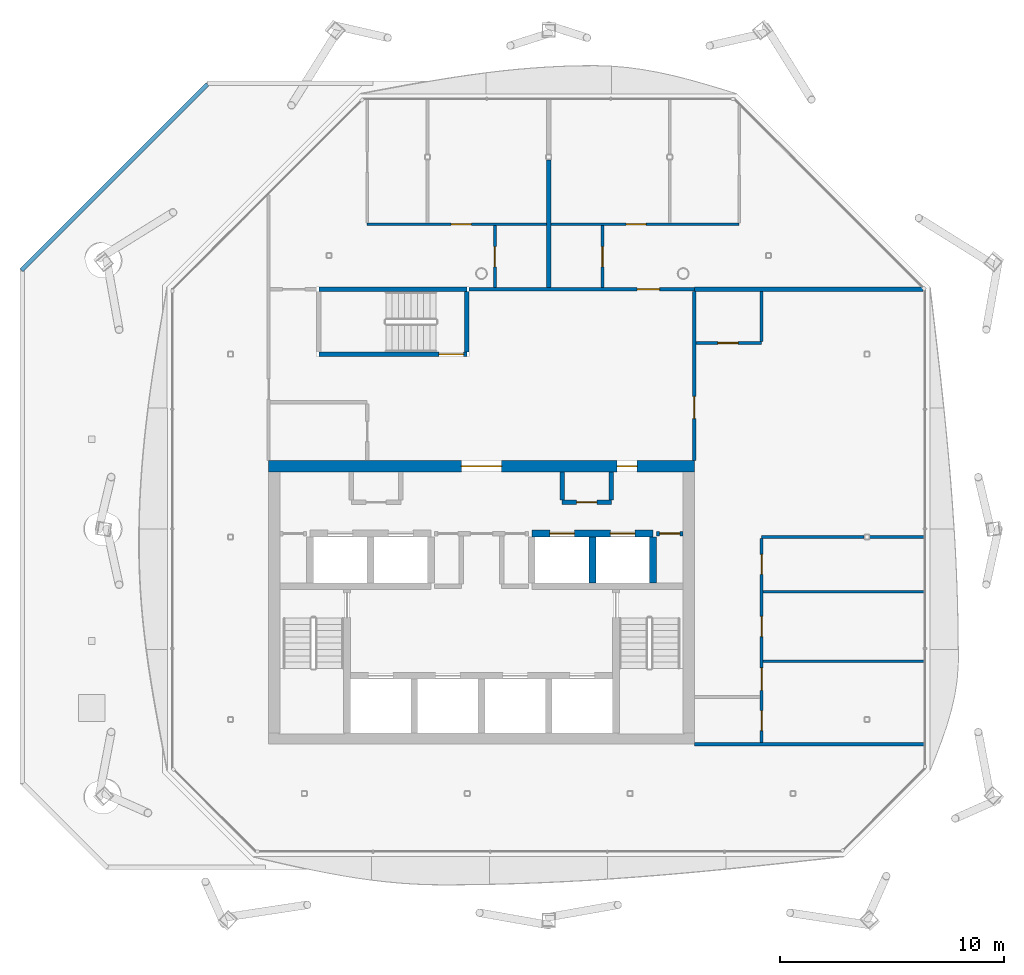
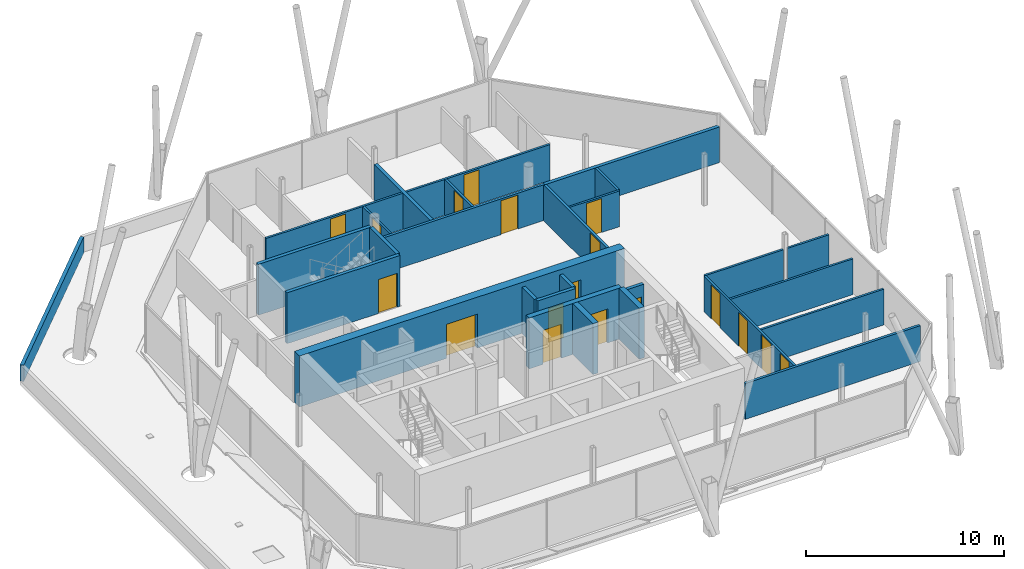
# One storey, part 11 of 17: 27 walls, 18 doors, 18 openings.
"""IFC4 building model written with IfcOpenShell, lengths in metres."""

from ifc_helpers import new_model, si_unit, direction, frame, frame_2d, origin, place, context, subcontext, project, spatial, rectangle, extrude, material, layer, layer_set, type_object, element, fill, save


model = new_model("IFC4")

# Units and contexts
model_context = context("Model", 3, precision=1e-05, world=origin(), true_north=direction((0.0, 1.0)))
body_context = subcontext(model_context, "Body", "Model", "MODEL_VIEW")
ifc_project = project(units=[si_unit("LENGTHUNIT", "METRE"), si_unit("AREAUNIT", "SQUARE_METRE"), si_unit("VOLUMEUNIT", "CUBIC_METRE"), si_unit("PLANEANGLEUNIT", "RADIAN"), si_unit("MASSUNIT", "GRAM", prefix="KILO")], contexts=[model_context])

# Site, building, storey
site_placement = place(None, origin())
site = spatial("IfcSite", under=ifc_project, at=site_placement, CompositionType="ELEMENT")
building_placement = place(site_placement, origin())
building = spatial("IfcBuilding", under=site, at=building_placement, Name="Tskaro Facet Tower", CompositionType="ELEMENT")
storey_placement = place(building_placement, frame((0.0, 0.0, 259.5)))
storey = spatial("IfcBuildingStorey", under=building, at=storey_placement, Name="L68", CompositionType="ELEMENT", Elevation=259.5)

# Wall, openings, doors
ifc_material_1 = material(Name="Concrete C60/75", Category="concrete")
ifc_layer_1 = layer(ifc_material_1, 0.300048828125, Name="Concrete C60/75")
ifc_layer_set_1 = layer_set([ifc_layer_1], Name="Concrete C60/75")
wall_type_1 = type_object("IfcWallType", Name="CORE-SHAFT", PredefinedType="SHEAR", material=ifc_layer_set_1)
wall_1_placement = place(storey_placement, frame((2.25, -2.60009765625, 0.0), z_axis=(0.0, 0.0, 1.0), x_axis=(1.0, 0.0, 0.0)))
wall_1 = element("IfcWall", 1, at=wall_1_placement, inside=storey, type_object=wall_type_1, Name="Shaft wall W015", PredefinedType="SHEAR", context=body_context, shape_type="SweptSolid", body=[
    extrude(rectangle(XDim=5.39990234375, YDim=0.300048828125, at=frame_2d((2.699951171875, 0.0))), origin(), (0.0, 0.0, 1.0), 3.14990234375),
])
opening_1_placement = place(wall_1_placement, frame((0.800048828125, 0.0, 0.0)))
opening_1 = element("IfcOpeningElement", 2, at=opening_1_placement, cuts=wall_1, Name="Opening LD-HB3", PredefinedType="OPENING", context=body_context, shape_type="SweptSolid", body=[
    extrude(rectangle(XDim=1.10009765625, YDim=2.10009765625, at=frame_2d((0.550048828125, 1.050048828125))), frame((0.0, 0.159912109375, 0.0), z_axis=(0.0, -1.0, 0.0), x_axis=(1.0, 0.0, 0.0)), (0.0, 0.0, 1.0), 0.320068359375),
])
opening_2_placement = place(wall_1_placement, frame((3.5, 0.0, 0.0)))
opening_2 = element("IfcOpeningElement", 3, at=opening_2_placement, cuts=wall_1, Name="Opening LD-HB4", PredefinedType="OPENING", context=body_context, shape_type="SweptSolid", body=[
    extrude(rectangle(XDim=1.10009765625, YDim=2.10009765625, at=frame_2d((0.550048828125, 1.050048828125))), frame((0.0, 0.159912109375, 0.0), z_axis=(0.0, -1.0, 0.0), x_axis=(1.0, 0.0, 0.0)), (0.0, 0.0, 1.0), 0.320068359375),
])
ifc_material_2 = material(Name="Stainless steel", Category="steel")
door_type_1 = type_object("IfcDoorType", Name="D-LANDING", OperationType="NOTDEFINED", PredefinedType="DOOR", material=ifc_material_2)
door_1_placement = place(opening_1_placement, origin())
door_1 = element("IfcDoor", 4, at=door_1_placement, inside=storey, type_object=door_type_1, Name="Landing door HB3", OperationType="DOUBLE_DOOR_SLIDING", OverallHeight=2.10009765625, OverallWidth=1.10009765625, PredefinedType="DOOR", context=body_context, shape_type="SweptSolid", body=[
    extrude(rectangle(XDim=1.10009765625, YDim=2.10009765625, at=frame_2d((0.550048828125, 1.050048828125))), frame((0.0, 0.02490234375, 0.0), z_axis=(0.0, -1.0, 0.0), x_axis=(1.0, 0.0, 0.0)), (0.0, 0.0, 1.0), 0.050048828125),
])
fill(opening_1, door_1)
door_2_placement = place(opening_2_placement, origin())
door_2 = element("IfcDoor", 5, at=door_2_placement, inside=storey, type_object=door_type_1, Name="Landing door HB4", OperationType="DOUBLE_DOOR_SLIDING", OverallHeight=2.10009765625, OverallWidth=1.10009765625, PredefinedType="DOOR", context=body_context, shape_type="SweptSolid", body=[
    extrude(rectangle(XDim=1.10009765625, YDim=2.10009765625, at=frame_2d((0.550048828125, 1.050048828125))), frame((0.0, 0.02490234375, 0.0), z_axis=(0.0, -1.0, 0.0), x_axis=(1.0, 0.0, 0.0)), (0.0, 0.0, 1.0), 0.050048828125),
])
fill(opening_2, door_2)

# Walls
for number, where, z_axis, x_axis, name in (
    (6, (4.949951171875, -4.800048828125, 0.0), (0.0, 0.0, 1.0), (0.0, 1.0, 0.0), "Shaft wall W050"),
    (7, (7.64990234375, -4.800048828125, 0.0), (0.0, 0.0, 1.0), (0.0, 1.0, 0.0), "Shaft wall W054"),
):
    element("IfcWall", number, at=place(storey_placement, frame(where, z_axis=z_axis, x_axis=x_axis)), inside=storey, type_object=wall_type_1, Name=name, PredefinedType="SHEAR", context=body_context, shape_type="SweptSolid", body=[
        extrude(rectangle(XDim=2.050048828125, YDim=0.300048828125, at=frame_2d((1.02490234375, 0.0))), origin(), (0.0, 0.0, 1.0), 3.14990234375),
    ])

# Wall, opening, door
ifc_material_3 = material(Name="Concrete C20/25", Category="concrete")
ifc_layer_2 = layer(ifc_material_3, 0.199951171875, Name="Concrete C20/25")
ifc_layer_set_2 = layer_set([ifc_layer_2], Name="Concrete C20/25")
wall_type_2 = type_object("IfcWallType", Name="CORE-WALL", PredefinedType="SOLIDWALL", material=ifc_layer_set_2)
wall_2_placement = place(storey_placement, frame((9.0, -2.60009765625, 0.0), z_axis=(0.0, 0.0, 1.0), x_axis=(-1.0, 0.0, 0.0)))
wall_2 = element("IfcWall", 8, at=wall_2_placement, inside=storey, type_object=wall_type_2, Name="Core room wall W016", PredefinedType="SOLIDWALL", context=body_context, shape_type="SweptSolid", body=[
    extrude(rectangle(XDim=1.199951171875, YDim=0.199951171875, at=frame_2d((0.60009765625, 0.0))), origin(), (0.0, 0.0, 1.0), 2.85009765625),
])
opening_3_placement = place(wall_2_placement, frame((0.14990234375, 0.0, 0.0)))
opening_3 = element("IfcOpeningElement", 9, at=opening_3_placement, cuts=wall_2, Name="Opening T20-D08", PredefinedType="OPENING", context=body_context, shape_type="SweptSolid", body=[
    extrude(rectangle(XDim=0.89990234375, YDim=2.10009765625, at=frame_2d((0.449951171875, 1.050048828125))), frame((0.0, 0.10986328125, 0.0), z_axis=(0.0, -1.0, 0.0), x_axis=(1.0, 0.0, 0.0)), (0.0, 0.0, 1.0), 0.219970703125),
])
ifc_material_4 = material(Name="Timber", Category="wood")
door_type_2 = type_object("IfcDoorType", Name="D-ROOM", OperationType="NOTDEFINED", PredefinedType="DOOR", material=ifc_material_4)
door_3_placement = place(opening_3_placement, origin())
door_3 = element("IfcDoor", 10, at=door_3_placement, inside=storey, type_object=door_type_2, Name="Door T20-D08", OperationType="SINGLE_SWING_RIGHT", OverallHeight=2.10009765625, OverallWidth=0.89990234375, PredefinedType="DOOR", context=body_context, shape_type="SweptSolid", body=[
    extrude(rectangle(XDim=0.89990234375, YDim=2.10009765625, at=frame_2d((0.449951171875, 1.050048828125))), frame((0.0, 0.02490234375, 0.0), z_axis=(0.0, -1.0, 0.0), x_axis=(1.0, 0.0, 0.0)), (0.0, 0.0, 1.0), 0.050048828125),
])
fill(opening_3, door_3)

wall_3_placement = place(storey_placement, frame((3.60009765625, -1.199951171875, 0.0), z_axis=(0.0, 0.0, 1.0), x_axis=(1.0, 0.0, 0.0)))
wall_3 = element("IfcWall", 11, at=wall_3_placement, inside=storey, type_object=wall_type_2, Name="Core room wall W018", PredefinedType="SOLIDWALL", context=body_context, shape_type="SweptSolid", body=[
    extrude(rectangle(XDim=2.199951171875, YDim=0.199951171875, at=frame_2d((1.10009765625, 0.0))), origin(), (0.0, 0.0, 1.0), 2.85009765625),
])
opening_4_placement = place(wall_3_placement, frame((0.64990234375, 0.0, 0.0)))
opening_4 = element("IfcOpeningElement", 12, at=opening_4_placement, cuts=wall_3, Name="Opening T20-D10", PredefinedType="OPENING", context=body_context, shape_type="SweptSolid", body=[
    extrude(rectangle(XDim=0.89990234375, YDim=2.10009765625, at=frame_2d((0.449951171875, 1.050048828125))), frame((0.0, 0.10986328125, 0.0), z_axis=(0.0, -1.0, 0.0), x_axis=(1.0, 0.0, 0.0)), (0.0, 0.0, 1.0), 0.219970703125),
])
door_4_placement = place(opening_4_placement, origin())
door_4 = element("IfcDoor", 13, at=door_4_placement, inside=storey, type_object=door_type_2, Name="Door T20-D10", OperationType="SINGLE_SWING_LEFT", OverallHeight=2.10009765625, OverallWidth=0.89990234375, PredefinedType="DOOR", context=body_context, shape_type="SweptSolid", body=[
    extrude(rectangle(XDim=0.89990234375, YDim=2.10009765625, at=frame_2d((0.449951171875, 1.050048828125))), frame((0.0, 0.02490234375, 0.0), z_axis=(0.0, -1.0, 0.0), x_axis=(1.0, 0.0, 0.0)), (0.0, 0.0, 1.0), 0.050048828125),
])
fill(opening_4, door_4)

# Walls
for number, where, z_axis, x_axis, name in (
    (14, (3.60009765625, -1.10009765625, 0.0), (0.0, 0.0, 1.0), (0.0, 1.0, 0.0), "Core room wall W049"),
    (15, (5.800048828125, -1.10009765625, 0.0), (0.0, 0.0, 1.0), (0.0, 1.0, 0.0), "Core room wall W052"),
):
    element("IfcWall", number, at=place(storey_placement, frame(where, z_axis=z_axis, x_axis=x_axis)), inside=storey, type_object=wall_type_2, Name=name, PredefinedType="SOLIDWALL", context=body_context, shape_type="SweptSolid", body=[
        extrude(rectangle(XDim=1.25, YDim=0.199951171875, at=frame_2d((0.625, 0.0))), origin(), (0.0, 0.0, 1.0), 2.85009765625),
    ])

# Wall, openings, doors
ifc_material_5 = material(Name="Concrete C40/50", Category="concrete")
ifc_layer_3 = layer(ifc_material_5, 0.5, Name="Concrete C40/50")
ifc_layer_set_3 = layer_set([ifc_layer_3], Name="Concrete C40/50")
wall_type_3 = type_object("IfcWallType", Name="Core wall 500", PredefinedType="SHEAR", material=ifc_layer_set_3)
wall_4_placement = place(storey_placement, frame((-9.5, 0.39990234375, 0.0), z_axis=(0.0, 0.0, 1.0), x_axis=(1.0, 0.0, 0.0)))
wall_4 = element("IfcWall", 16, at=wall_4_placement, inside=storey, type_object=wall_type_3, Name="Core wall CW-Z3N", PredefinedType="SHEAR", context=body_context, shape_type="SweptSolid", body=[
    extrude(rectangle(XDim=19.0, YDim=0.5, at=frame_2d((9.5, 0.0))), origin(), (0.0, 0.0, 1.0), 3.14990234375),
])
opening_5_placement = place(wall_4_placement, frame((8.60009765625, 0.0, 0.0)))
opening_5 = element("IfcOpeningElement", 17, at=opening_5_placement, cuts=wall_4, Name="Opening T20-D11", PredefinedType="OPENING", context=body_context, shape_type="SweptSolid", body=[
    extrude(rectangle(XDim=1.800048828125, YDim=2.10009765625, at=frame_2d((0.89990234375, 1.050048828125))), frame((0.0, 0.260009765625, 0.0), z_axis=(0.0, -1.0, 0.0), x_axis=(1.0, 0.0, 0.0)), (0.0, 0.0, 1.0), 0.52001953125),
])
opening_6_placement = place(wall_4_placement, frame((15.550048828125, 0.0, 0.0)))
opening_6 = element("IfcOpeningElement", 18, at=opening_6_placement, cuts=wall_4, Name="Opening T20-D12", PredefinedType="OPENING", context=body_context, shape_type="SweptSolid", body=[
    extrude(rectangle(XDim=0.89990234375, YDim=2.10009765625, at=frame_2d((0.449951171875, 1.050048828125))), frame((0.0, 0.260009765625, 0.0), z_axis=(0.0, -1.0, 0.0), x_axis=(1.0, 0.0, 0.0)), (0.0, 0.0, 1.0), 0.52001953125),
])
ifc_material_6 = material(Name="Steel", Category="steel")
door_type_3 = type_object("IfcDoorType", Name="D-CORE-PAIR", OperationType="NOTDEFINED", PredefinedType="DOOR", material=ifc_material_6)
door_5_placement = place(opening_5_placement, origin())
door_5 = element("IfcDoor", 19, at=door_5_placement, inside=storey, type_object=door_type_3, Name="Door T20-D11", OperationType="DOUBLE_DOOR_SINGLE_SWING", OverallHeight=2.10009765625, OverallWidth=1.800048828125, PredefinedType="DOOR", context=body_context, shape_type="SweptSolid", body=[
    extrude(rectangle(XDim=1.800048828125, YDim=2.10009765625, at=frame_2d((0.89990234375, 1.050048828125))), frame((0.0, 0.02490234375, 0.0), z_axis=(0.0, -1.0, 0.0), x_axis=(1.0, 0.0, 0.0)), (0.0, 0.0, 1.0), 0.050048828125),
])
fill(opening_5, door_5)
door_6_placement = place(opening_6_placement, origin())
door_6 = element("IfcDoor", 20, at=door_6_placement, inside=storey, type_object=door_type_2, Name="Door T20-D12", OperationType="SINGLE_SWING_LEFT", OverallHeight=2.10009765625, OverallWidth=0.89990234375, PredefinedType="DOOR", context=body_context, shape_type="SweptSolid", body=[
    extrude(rectangle(XDim=0.89990234375, YDim=2.10009765625, at=frame_2d((0.449951171875, 1.050048828125))), frame((0.0, 0.02490234375, 0.0), z_axis=(0.0, -1.0, 0.0), x_axis=(1.0, 0.0, 0.0)), (0.0, 0.0, 1.0), 0.050048828125),
])
fill(opening_6, door_6)

# Walls
ifc_material_7 = material(Name="Gypsum board on steel studs", Category="steel")
ifc_layer_4 = layer(ifc_material_7, 0.125, Name="Gypsum board on steel studs")
ifc_layer_set_4 = layer_set([ifc_layer_4], Name="Gypsum board on steel studs")
wall_type_4 = type_object("IfcWallType", Name="PART", PredefinedType="PARTITIONING", material=ifc_layer_set_4)
for number, where, z_axis, x_axis, name in (
    (21, (12.5625, -8.300048828125, 0.0), (0.0, 0.0, 1.0), (1.0, 0.0, 0.0), "Partition W004"),
    (22, (12.5625, -5.199951171875, 0.0), (0.0, 0.0, 1.0), (1.0, 0.0, 0.0), "Partition W005"),
):
    element("IfcWall", number, at=place(storey_placement, frame(where, z_axis=z_axis, x_axis=x_axis)), inside=storey, type_object=wall_type_4, Name=name, PredefinedType="PARTITIONING", context=body_context, shape_type="SweptSolid", body=[
        extrude(rectangle(XDim=7.180419921875, YDim=0.125, at=frame_2d((3.59033203125, 0.0))), origin(), (0.0, 0.0, 1.0), 2.2099609375),
    ])
wall_5_placement = place(storey_placement, frame((12.5, -2.75, 0.0), z_axis=(0.0, 0.0, 1.0), x_axis=(1.0, 0.0, 0.0)))
element("IfcWall", 23, at=wall_5_placement, inside=storey, type_object=wall_type_4, Name="Partition W010", PredefinedType="PARTITIONING", context=body_context, shape_type="SweptSolid", body=[
    extrude(rectangle(XDim=4.574951171875, YDim=0.125, at=frame_2d((2.28759765625, 0.0))), origin(), (0.0, 0.0, 1.0), 2.2099609375),
])
wall_6_placement = place(storey_placement, frame((17.324951171875, -2.75, 0.0), z_axis=(0.0, 0.0, 1.0), x_axis=(1.0, 0.0, 0.0)))
element("IfcWall", 24, at=wall_6_placement, inside=storey, type_object=wall_type_4, Name="Partition W011", PredefinedType="PARTITIONING", context=body_context, shape_type="SweptSolid", body=[
    extrude(rectangle(XDim=2.41796875, YDim=0.125, at=frame_2d((1.208984375, 0.0))), origin(), (0.0, 0.0, 1.0), 2.2099609375),
])

# Wall, opening, door
wall_7_placement = place(storey_placement, frame((9.574951171875, 5.89990234375, 0.0), z_axis=(0.0, 0.0, 1.0), x_axis=(1.0, 0.0, 0.0)))
wall_7 = element("IfcWall", 25, at=wall_7_placement, inside=storey, type_object=wall_type_4, Name="Partition W021", PredefinedType="PARTITIONING", context=body_context, shape_type="SweptSolid", body=[
    extrude(rectangle(XDim=2.925048828125, YDim=0.125, at=frame_2d((1.46240234375, 0.0))), origin(), (0.0, 0.0, 1.0), 2.2099609375),
])
opening_7_placement = place(wall_7_placement, frame((0.97509765625, 0.0, 0.0)))
opening_7 = element("IfcOpeningElement", 26, at=opening_7_placement, cuts=wall_7, Name="Opening T20-D16", PredefinedType="OPENING", context=body_context, shape_type="SweptSolid", body=[
    extrude(rectangle(XDim=0.89990234375, YDim=2.10009765625, at=frame_2d((0.449951171875, 1.050048828125))), frame((0.0, 0.072509765625, 0.0), z_axis=(0.0, -1.0, 0.0), x_axis=(1.0, 0.0, 0.0)), (0.0, 0.0, 1.0), 0.14501953125),
])
door_7_placement = place(opening_7_placement, origin())
door_7 = element("IfcDoor", 27, at=door_7_placement, inside=storey, type_object=door_type_2, Name="Door T20-D16", OperationType="SINGLE_SWING_LEFT", OverallHeight=2.10009765625, OverallWidth=0.89990234375, PredefinedType="DOOR", context=body_context, shape_type="SweptSolid", body=[
    extrude(rectangle(XDim=0.89990234375, YDim=2.10009765625, at=frame_2d((0.449951171875, 1.050048828125))), frame((0.0, 0.02490234375, 0.0), z_axis=(0.0, -1.0, 0.0), x_axis=(1.0, 0.0, 0.0)), (0.0, 0.0, 1.0), 0.050048828125),
])
fill(opening_7, door_7)

# Wall, openings, doors
wall_8_placement = place(storey_placement, frame((-5.10009765625, 11.199951171875, 0.0), z_axis=(0.0, 0.0, 1.0), x_axis=(1.0, 0.0, 0.0)))
wall_8 = element("IfcWall", 28, at=wall_8_placement, inside=storey, type_object=wall_type_4, Name="Partition W026", PredefinedType="PARTITIONING", context=body_context, shape_type="SweptSolid", body=[
    extrude(rectangle(XDim=16.60009765625, YDim=0.125, at=frame_2d((8.300048828125, 0.0))), origin(), (0.0, 0.0, 1.0), 2.2099609375),
])
opening_8_placement = place(wall_8_placement, frame((3.74755859375, 0.0, 0.0)))
opening_8 = element("IfcOpeningElement", 29, at=opening_8_placement, cuts=wall_8, Name="Opening T20-D21", PredefinedType="OPENING", context=body_context, shape_type="SweptSolid", body=[
    extrude(rectangle(XDim=0.89990234375, YDim=2.10009765625, at=frame_2d((0.449951171875, 1.050048828125))), frame((0.0, 0.072509765625, 0.0), z_axis=(0.0, -1.0, 0.0), x_axis=(1.0, 0.0, 0.0)), (0.0, 0.0, 1.0), 0.14501953125),
])
opening_9_placement = place(wall_8_placement, frame((11.552490234375, 0.0, 0.0)))
opening_9 = element("IfcOpeningElement", 30, at=opening_9_placement, cuts=wall_8, Name="Opening T20-D22", PredefinedType="OPENING", context=body_context, shape_type="SweptSolid", body=[
    extrude(rectangle(XDim=0.89990234375, YDim=2.10009765625, at=frame_2d((0.449951171875, 1.050048828125))), frame((0.0, 0.072509765625, 0.0), z_axis=(0.0, -1.0, 0.0), x_axis=(1.0, 0.0, 0.0)), (0.0, 0.0, 1.0), 0.14501953125),
])
door_8_placement = place(opening_8_placement, origin())
door_8 = element("IfcDoor", 31, at=door_8_placement, inside=storey, type_object=door_type_2, Name="Door T20-D21", OperationType="SINGLE_SWING_LEFT", OverallHeight=2.10009765625, OverallWidth=0.89990234375, PredefinedType="DOOR", context=body_context, shape_type="SweptSolid", body=[
    extrude(rectangle(XDim=0.89990234375, YDim=2.10009765625, at=frame_2d((0.449951171875, 1.050048828125))), frame((0.0, 0.02490234375, 0.0), z_axis=(0.0, -1.0, 0.0), x_axis=(1.0, 0.0, 0.0)), (0.0, 0.0, 1.0), 0.050048828125),
])
fill(opening_8, door_8)
door_9_placement = place(opening_9_placement, origin())
door_9 = element("IfcDoor", 32, at=door_9_placement, inside=storey, type_object=door_type_2, Name="Door T20-D22", OperationType="SINGLE_SWING_LEFT", OverallHeight=2.10009765625, OverallWidth=0.89990234375, PredefinedType="DOOR", context=body_context, shape_type="SweptSolid", body=[
    extrude(rectangle(XDim=0.89990234375, YDim=2.10009765625, at=frame_2d((0.449951171875, 1.050048828125))), frame((0.0, 0.02490234375, 0.0), z_axis=(0.0, -1.0, 0.0), x_axis=(1.0, 0.0, 0.0)), (0.0, 0.0, 1.0), 0.050048828125),
])
fill(opening_9, door_9)

# Wall, opening, door
wall_9_placement = place(storey_placement, frame((0.60009765625, 11.137451171875, 0.0), z_axis=(0.0, 0.0, 1.0), x_axis=(0.0, -1.0, 0.0)))
wall_9 = element("IfcWall", 33, at=wall_9_placement, inside=storey, type_object=wall_type_4, Name="Partition W043", PredefinedType="PARTITIONING", context=body_context, shape_type="SweptSolid", body=[
    extrude(rectangle(XDim=2.762451171875, YDim=0.125, at=frame_2d((1.38134765625, 0.0))), origin(), (0.0, 0.0, 1.0), 2.2099609375),
])
opening_10_placement = place(wall_9_placement, frame((0.9375, 0.0, 0.0)))
opening_10 = element("IfcOpeningElement", 34, at=opening_10_placement, cuts=wall_9, Name="Opening T20-D19", PredefinedType="OPENING", context=body_context, shape_type="SweptSolid", body=[
    extrude(rectangle(XDim=0.89990234375, YDim=2.10009765625, at=frame_2d((0.449951171875, 1.050048828125))), frame((0.0, 0.072509765625, 0.0), z_axis=(0.0, -1.0, 0.0), x_axis=(1.0, 0.0, 0.0)), (0.0, 0.0, 1.0), 0.14501953125),
])
door_10_placement = place(opening_10_placement, origin())
door_10 = element("IfcDoor", 35, at=door_10_placement, inside=storey, type_object=door_type_2, Name="Door T20-D19", OperationType="SINGLE_SWING_RIGHT", OverallHeight=2.10009765625, OverallWidth=0.89990234375, PredefinedType="DOOR", context=body_context, shape_type="SweptSolid", body=[
    extrude(rectangle(XDim=0.89990234375, YDim=2.10009765625, at=frame_2d((0.449951171875, 1.050048828125))), frame((0.0, 0.02490234375, 0.0), z_axis=(0.0, -1.0, 0.0), x_axis=(1.0, 0.0, 0.0)), (0.0, 0.0, 1.0), 0.050048828125),
])
fill(opening_10, door_10)

wall_10_placement = place(storey_placement, frame((5.39990234375, 8.375, 0.0), z_axis=(0.0, 0.0, 1.0), x_axis=(0.0, 1.0, 0.0)))
wall_10 = element("IfcWall", 36, at=wall_10_placement, inside=storey, type_object=wall_type_4, Name="Partition W051", PredefinedType="PARTITIONING", context=body_context, shape_type="SweptSolid", body=[
    extrude(rectangle(XDim=2.762451171875, YDim=0.125, at=frame_2d((1.38134765625, 0.0))), origin(), (0.0, 0.0, 1.0), 2.2099609375),
])
opening_11_placement = place(wall_10_placement, frame((0.925048828125, 0.0, 0.0)))
opening_11 = element("IfcOpeningElement", 37, at=opening_11_placement, cuts=wall_10, Name="Opening T20-D20", PredefinedType="OPENING", context=body_context, shape_type="SweptSolid", body=[
    extrude(rectangle(XDim=0.89990234375, YDim=2.10009765625, at=frame_2d((0.449951171875, 1.050048828125))), frame((0.0, 0.072509765625, 0.0), z_axis=(0.0, -1.0, 0.0), x_axis=(1.0, 0.0, 0.0)), (0.0, 0.0, 1.0), 0.14501953125),
])
door_11_placement = place(opening_11_placement, origin())
door_11 = element("IfcDoor", 38, at=door_11_placement, inside=storey, type_object=door_type_2, Name="Door T20-D20", OperationType="SINGLE_SWING_LEFT", OverallHeight=2.10009765625, OverallWidth=0.89990234375, PredefinedType="DOOR", context=body_context, shape_type="SweptSolid", body=[
    extrude(rectangle(XDim=0.89990234375, YDim=2.10009765625, at=frame_2d((0.449951171875, 1.050048828125))), frame((0.0, 0.02490234375, 0.0), z_axis=(0.0, -1.0, 0.0), x_axis=(1.0, 0.0, 0.0)), (0.0, 0.0, 1.0), 0.050048828125),
])
fill(opening_11, door_11)

# Wall, openings, doors
wall_11_placement = place(storey_placement, frame((12.5, -2.8125, 0.0), z_axis=(0.0, 0.0, 1.0), x_axis=(0.0, -1.0, 0.0)))
wall_11 = element("IfcWall", 39, at=wall_11_placement, inside=storey, type_object=wall_type_4, Name="Partition W059", PredefinedType="PARTITIONING", context=body_context, shape_type="SweptSolid", body=[
    extrude(rectangle(XDim=9.112548828125, YDim=0.125, at=frame_2d((4.55615234375, 0.0))), origin(), (0.0, 0.0, 1.0), 2.2099609375),
])
opening_12_placement = place(wall_11_placement, frame((3.487548828125, 0.0, 0.0)))
opening_12 = element("IfcOpeningElement", 40, at=opening_12_placement, cuts=wall_11, Name="Opening T20-D03", PredefinedType="OPENING", context=body_context, shape_type="SweptSolid", body=[
    extrude(rectangle(XDim=0.89990234375, YDim=2.10009765625, at=frame_2d((0.449951171875, 1.050048828125))), frame((0.0, 0.072509765625, 0.0), z_axis=(0.0, -1.0, 0.0), x_axis=(1.0, 0.0, 0.0)), (0.0, 0.0, 1.0), 0.14501953125),
])
opening_13_placement = place(wall_11_placement, frame((0.71240234375, 0.0, 0.0)))
opening_13 = element("IfcOpeningElement", 41, at=opening_13_placement, cuts=wall_11, Name="Opening T20-D04", PredefinedType="OPENING", context=body_context, shape_type="SweptSolid", body=[
    extrude(rectangle(XDim=0.89990234375, YDim=2.10009765625, at=frame_2d((0.449951171875, 1.050048828125))), frame((0.0, 0.072509765625, 0.0), z_axis=(0.0, -1.0, 0.0), x_axis=(1.0, 0.0, 0.0)), (0.0, 0.0, 1.0), 0.14501953125),
])
opening_14_placement = place(wall_11_placement, frame((5.78759765625, 0.0, 0.0)))
opening_14 = element("IfcOpeningElement", 42, at=opening_14_placement, cuts=wall_11, Name="Opening T20-D02", PredefinedType="OPENING", context=body_context, shape_type="SweptSolid", body=[
    extrude(rectangle(XDim=1.0, YDim=2.10009765625, at=frame_2d((0.5, 1.050048828125))), frame((0.0, 0.072509765625, 0.0), z_axis=(0.0, -1.0, 0.0), x_axis=(1.0, 0.0, 0.0)), (0.0, 0.0, 1.0), 0.14501953125),
])
opening_15_placement = place(wall_11_placement, frame((7.6875, 0.0, 0.0)))
opening_15 = element("IfcOpeningElement", 43, at=opening_15_placement, cuts=wall_11, Name="Opening T20-D01", PredefinedType="OPENING", context=body_context, shape_type="SweptSolid", body=[
    extrude(rectangle(XDim=0.89990234375, YDim=2.10009765625, at=frame_2d((0.449951171875, 1.050048828125))), frame((0.0, 0.072509765625, 0.0), z_axis=(0.0, -1.0, 0.0), x_axis=(1.0, 0.0, 0.0)), (0.0, 0.0, 1.0), 0.14501953125),
])
door_12_placement = place(opening_12_placement, origin())
door_12 = element("IfcDoor", 44, at=door_12_placement, inside=storey, type_object=door_type_2, Name="Door T20-D03", OperationType="SINGLE_SWING_LEFT", OverallHeight=2.10009765625, OverallWidth=0.89990234375, PredefinedType="DOOR", context=body_context, shape_type="SweptSolid", body=[
    extrude(rectangle(XDim=0.89990234375, YDim=2.10009765625, at=frame_2d((0.449951171875, 1.050048828125))), frame((0.0, 0.02490234375, 0.0), z_axis=(0.0, -1.0, 0.0), x_axis=(1.0, 0.0, 0.0)), (0.0, 0.0, 1.0), 0.050048828125),
])
fill(opening_12, door_12)
door_13_placement = place(opening_13_placement, origin())
door_13 = element("IfcDoor", 45, at=door_13_placement, inside=storey, type_object=door_type_2, Name="Door T20-D04", OperationType="SINGLE_SWING_RIGHT", OverallHeight=2.10009765625, OverallWidth=0.89990234375, PredefinedType="DOOR", context=body_context, shape_type="SweptSolid", body=[
    extrude(rectangle(XDim=0.89990234375, YDim=2.10009765625, at=frame_2d((0.449951171875, 1.050048828125))), frame((0.0, 0.02490234375, 0.0), z_axis=(0.0, -1.0, 0.0), x_axis=(1.0, 0.0, 0.0)), (0.0, 0.0, 1.0), 0.050048828125),
])
fill(opening_13, door_13)
door_14_placement = place(opening_15_placement, origin())
door_14 = element("IfcDoor", 46, at=door_14_placement, inside=storey, type_object=door_type_2, Name="Door T20-D01", OperationType="SINGLE_SWING_LEFT", OverallHeight=2.10009765625, OverallWidth=0.89990234375, PredefinedType="DOOR", context=body_context, shape_type="SweptSolid", body=[
    extrude(rectangle(XDim=0.89990234375, YDim=2.10009765625, at=frame_2d((0.449951171875, 1.050048828125))), frame((0.0, 0.02490234375, 0.0), z_axis=(0.0, -1.0, 0.0), x_axis=(1.0, 0.0, 0.0)), (0.0, 0.0, 1.0), 0.050048828125),
])
fill(opening_15, door_14)
door_type_4 = type_object("IfcDoorType", Name="D-ROOM-WIDE", OperationType="NOTDEFINED", PredefinedType="DOOR", material=ifc_material_4)
door_15_placement = place(opening_14_placement, origin())
door_15 = element("IfcDoor", 47, at=door_15_placement, inside=storey, type_object=door_type_4, Name="Door T20-D02", OperationType="SINGLE_SWING_RIGHT", OverallHeight=2.10009765625, OverallWidth=1.0, PredefinedType="DOOR", context=body_context, shape_type="SweptSolid", body=[
    extrude(rectangle(XDim=1.0, YDim=2.10009765625, at=frame_2d((0.5, 1.050048828125))), frame((0.0, 0.02490234375, 0.0), z_axis=(0.0, -1.0, 0.0), x_axis=(1.0, 0.0, 0.0)), (0.0, 0.0, 1.0), 0.050048828125),
])
fill(opening_14, door_15)

# Walls
wall_12_placement = place(storey_placement, frame((12.5, 5.96240234375, 0.0), z_axis=(0.0, 0.0, 1.0), x_axis=(0.0, 1.0, 0.0)))
element("IfcWall", 48, at=wall_12_placement, inside=storey, type_object=wall_type_4, Name="Partition W060", PredefinedType="PARTITIONING", context=body_context, shape_type="SweptSolid", body=[
    extrude(rectangle(XDim=2.237548828125, YDim=0.125, at=frame_2d((1.11865234375, 0.0))), origin(), (0.0, 0.0, 1.0), 2.2099609375),
])
ifc_layer_5 = layer(ifc_material_7, 0.14990234375, Name="Gypsum board on steel studs")
ifc_layer_set_5 = layer_set([ifc_layer_5], Name="Gypsum board on steel studs")
wall_type_5 = type_object("IfcWallType", Name="PART-CORR", PredefinedType="PARTITIONING", material=ifc_layer_set_5)
wall_13_placement = place(storey_placement, frame((9.5, -12.0, 0.0), z_axis=(0.0, 0.0, 1.0), x_axis=(1.0, 0.0, 0.0)))
element("IfcWall", 49, at=wall_13_placement, inside=storey, type_object=wall_type_5, Name="Corridor wall W001", PredefinedType="PARTITIONING", context=body_context, shape_type="SweptSolid", body=[
    extrude(rectangle(XDim=10.242919921875, YDim=0.14990234375, at=frame_2d((5.12158203125, 0.0))), origin(), (0.0, 0.0, 1.0), 2.2099609375),
])

# Wall, opening, door
wall_14_placement = place(storey_placement, frame((-0.550048828125, 8.300048828125, 0.0), z_axis=(0.0, 0.0, 1.0), x_axis=(1.0, 0.0, 0.0)))
wall_14 = element("IfcWall", 50, at=wall_14_placement, inside=storey, type_object=wall_type_5, Name="Corridor wall W024", PredefinedType="PARTITIONING", context=body_context, shape_type="SweptSolid", body=[
    extrude(rectangle(XDim=10.050048828125, YDim=0.14990234375, at=frame_2d((5.02490234375, 0.0))), origin(), (0.0, 0.0, 1.0), 2.2099609375),
])
opening_16_placement = place(wall_14_placement, frame((7.5, 0.0, 0.0)))
opening_16 = element("IfcOpeningElement", 51, at=opening_16_placement, cuts=wall_14, Name="Opening T20-D18", PredefinedType="OPENING", context=body_context, shape_type="SweptSolid", body=[
    extrude(rectangle(XDim=1.0, YDim=2.10009765625, at=frame_2d((0.5, 1.050048828125))), frame((0.0, 0.0849609375, 0.0), z_axis=(0.0, -1.0, 0.0), x_axis=(1.0, 0.0, 0.0)), (0.0, 0.0, 1.0), 0.169921875),
])
door_type_5 = type_object("IfcDoorType", Name="D-FLAT-ENTRY", OperationType="NOTDEFINED", PredefinedType="DOOR", material=ifc_material_4)
door_16_placement = place(opening_16_placement, origin())
door_16 = element("IfcDoor", 52, at=door_16_placement, inside=storey, type_object=door_type_5, Name="Door T20-D18", OperationType="SINGLE_SWING_LEFT", OverallHeight=2.10009765625, OverallWidth=1.0, PredefinedType="DOOR", context=body_context, shape_type="SweptSolid", body=[
    extrude(rectangle(XDim=1.0, YDim=2.10009765625, at=frame_2d((0.5, 1.050048828125))), frame((0.0, 0.02490234375, 0.0), z_axis=(0.0, -1.0, 0.0), x_axis=(1.0, 0.0, 0.0)), (0.0, 0.0, 1.0), 0.050048828125),
])
fill(opening_16, door_16)

wall_15_placement = place(storey_placement, frame((9.5, 8.199951171875, 0.0), z_axis=(0.0, 0.0, 1.0), x_axis=(0.0, -1.0, 0.0)))
wall_15 = element("IfcWall", 53, at=wall_15_placement, inside=storey, type_object=wall_type_5, Name="Corridor wall W057", PredefinedType="PARTITIONING", context=body_context, shape_type="SweptSolid", body=[
    extrude(rectangle(XDim=7.550048828125, YDim=0.14990234375, at=frame_2d((3.77490234375, 0.0))), origin(), (0.0, 0.0, 1.0), 2.2099609375),
])
opening_17_placement = place(wall_15_placement, frame((4.675048828125, 0.0, 0.0)))
opening_17 = element("IfcOpeningElement", 54, at=opening_17_placement, cuts=wall_15, Name="Opening T20-D14", PredefinedType="OPENING", context=body_context, shape_type="SweptSolid", body=[
    extrude(rectangle(XDim=1.0, YDim=2.10009765625, at=frame_2d((0.5, 1.050048828125))), frame((0.0, 0.0849609375, 0.0), z_axis=(0.0, -1.0, 0.0), x_axis=(1.0, 0.0, 0.0)), (0.0, 0.0, 1.0), 0.169921875),
])
door_17_placement = place(opening_17_placement, origin())
door_17 = element("IfcDoor", 55, at=door_17_placement, inside=storey, type_object=door_type_5, Name="Door T20-D14", OperationType="SINGLE_SWING_LEFT", OverallHeight=2.10009765625, OverallWidth=1.0, PredefinedType="DOOR", context=body_context, shape_type="SweptSolid", body=[
    extrude(rectangle(XDim=1.0, YDim=2.10009765625, at=frame_2d((0.5, 1.050048828125))), frame((0.0, 0.02490234375, 0.0), z_axis=(0.0, -1.0, 0.0), x_axis=(1.0, 0.0, 0.0)), (0.0, 0.0, 1.0), 0.050048828125),
])
fill(opening_17, door_17)

# Walls
ifc_layer_6 = layer(ifc_material_7, 0.199951171875, Name="Gypsum board on steel studs")
ifc_layer_set_6 = layer_set([ifc_layer_6], Name="Gypsum board on steel studs")
wall_type_6 = type_object("IfcWallType", Name="PART-DEMISING", PredefinedType="PARTITIONING", material=ifc_layer_set_6)
wall_16_placement = place(storey_placement, frame((9.5, 8.300048828125, 0.0), z_axis=(0.0, 0.0, 1.0), x_axis=(1.0, 0.0, 0.0)))
element("IfcWall", 56, at=wall_16_placement, inside=storey, type_object=wall_type_6, Name="Guest room wall W025", PredefinedType="PARTITIONING", context=body_context, shape_type="SweptSolid", body=[
    extrude(rectangle(XDim=10.2099609375, YDim=0.199951171875, at=frame_2d((5.10498046875, 0.0))), origin(), (0.0, 0.0, 1.0), 2.2099609375),
])
wall_17_placement = place(storey_placement, frame((3.0, 8.375, 0.0), z_axis=(0.0, 0.0, 1.0), x_axis=(0.0, 1.0, 0.0)))
element("IfcWall", 57, at=wall_17_placement, inside=storey, type_object=wall_type_6, Name="Guest room wall W047", PredefinedType="PARTITIONING", context=body_context, shape_type="SweptSolid", body=[
    extrude(rectangle(XDim=5.699951171875, YDim=0.199951171875, at=frame_2d((2.85009765625, 0.0))), origin(), (0.0, 0.0, 1.0), 2.2099609375),
])
ifc_material_8 = material(Name="Precast concrete C40/50", Category="concrete")
ifc_layer_7 = layer(ifc_material_8, 0.199951171875, Name="Precast concrete C40/50")
ifc_layer_set_7 = layer_set([ifc_layer_7], Name="Precast concrete C40/50")
wall_type_7 = type_object("IfcWallType", Name="Roof parapet", PredefinedType="PARAPET", material=ifc_layer_set_7)
wall_18_placement = place(storey_placement, frame((-12.221923828125, 17.449462890625, 0.0), z_axis=(0.0, 0.0, 1.0), x_axis=(-0.707117182952, -0.707096379269, 0.0)))
element("IfcWall", 58, at=wall_18_placement, inside=storey, type_object=wall_type_7, Name="Roof parapet L68 1.2", PredefinedType="PARAPET", context=body_context, shape_type="SweptSolid", body=[
    extrude(rectangle(XDim=11.7353515625, YDim=0.199951171875, at=frame_2d((5.86767578125, 0.0))), origin(), (0.0, 0.0, 1.0), 1.0),
])

# Wall, opening, door
ifc_layer_8 = layer(ifc_material_1, 0.199951171875, Name="Concrete C60/75")
ifc_layer_set_8 = layer_set([ifc_layer_8], Name="Concrete C60/75")
wall_type_8 = type_object("IfcWallType", Name="STAIR-WALL", PredefinedType="SHEAR", material=ifc_layer_set_8)
wall_19_placement = place(storey_placement, frame((-7.25, 5.39990234375, 0.0), z_axis=(0.0, 0.0, 1.0), x_axis=(1.0, 0.0, 0.0)))
wall_19 = element("IfcWall", 59, at=wall_19_placement, inside=storey, type_object=wall_type_8, Name="Stair wall W020", PredefinedType="SHEAR", context=body_context, shape_type="SweptSolid", body=[
    extrude(rectangle(XDim=6.60009765625, YDim=0.199951171875, at=frame_2d((3.300048828125, 0.0))), origin(), (0.0, 0.0, 1.0), 3.14990234375),
])
opening_18_placement = place(wall_19_placement, frame((5.35009765625, 0.0, 0.0)))
opening_18 = element("IfcOpeningElement", 60, at=opening_18_placement, cuts=wall_19, Name="Opening ST-3-D1", PredefinedType="OPENING", context=body_context, shape_type="SweptSolid", body=[
    extrude(rectangle(XDim=1.10009765625, YDim=2.10009765625, at=frame_2d((0.550048828125, 1.050048828125))), frame((0.0, 0.10986328125, 0.0), z_axis=(0.0, -1.0, 0.0), x_axis=(1.0, 0.0, 0.0)), (0.0, 0.0, 1.0), 0.219970703125),
])
door_type_6 = type_object("IfcDoorType", Name="D-STAIR", OperationType="NOTDEFINED", PredefinedType="DOOR", material=ifc_material_6)
door_18_placement = place(opening_18_placement, origin())
door_18 = element("IfcDoor", 61, at=door_18_placement, inside=storey, type_object=door_type_6, Name="Stair door 3", OperationType="SINGLE_SWING_LEFT", OverallHeight=2.10009765625, OverallWidth=1.10009765625, PredefinedType="DOOR", context=body_context, shape_type="SweptSolid", body=[
    extrude(rectangle(XDim=1.10009765625, YDim=2.10009765625, at=frame_2d((0.550048828125, 1.050048828125))), frame((0.0, 0.02490234375, 0.0), z_axis=(0.0, -1.0, 0.0), x_axis=(1.0, 0.0, 0.0)), (0.0, 0.0, 1.0), 0.050048828125),
])
fill(opening_18, door_18)

# Walls
wall_20_placement = place(storey_placement, frame((-7.25, 8.300048828125, 0.0), z_axis=(0.0, 0.0, 1.0), x_axis=(1.0, 0.0, 0.0)))
element("IfcWall", 62, at=wall_20_placement, inside=storey, type_object=wall_type_8, Name="Stair wall W023", PredefinedType="SHEAR", context=body_context, shape_type="SweptSolid", body=[
    extrude(rectangle(XDim=6.60009765625, YDim=0.199951171875, at=frame_2d((3.300048828125, 0.0))), origin(), (0.0, 0.0, 1.0), 3.14990234375),
])
wall_21_placement = place(storey_placement, frame((-0.64990234375, 5.5, 0.0), z_axis=(0.0, 0.0, 1.0), x_axis=(0.0, 1.0, 0.0)))
element("IfcWall", 63, at=wall_21_placement, inside=storey, type_object=wall_type_8, Name="Stair wall W041", PredefinedType="SHEAR", context=body_context, shape_type="SweptSolid", body=[
    extrude(rectangle(XDim=2.699951171875, YDim=0.199951171875, at=frame_2d((1.35009765625, 0.0))), origin(), (0.0, 0.0, 1.0), 3.14990234375),
])

save(model, "model.ifc")
